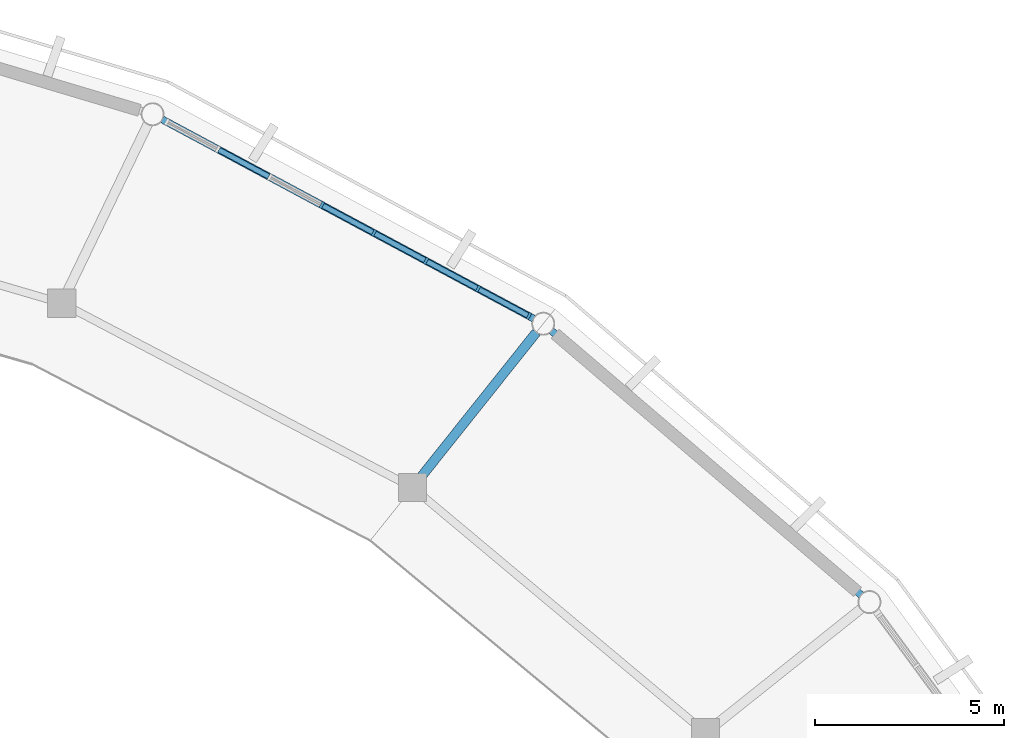
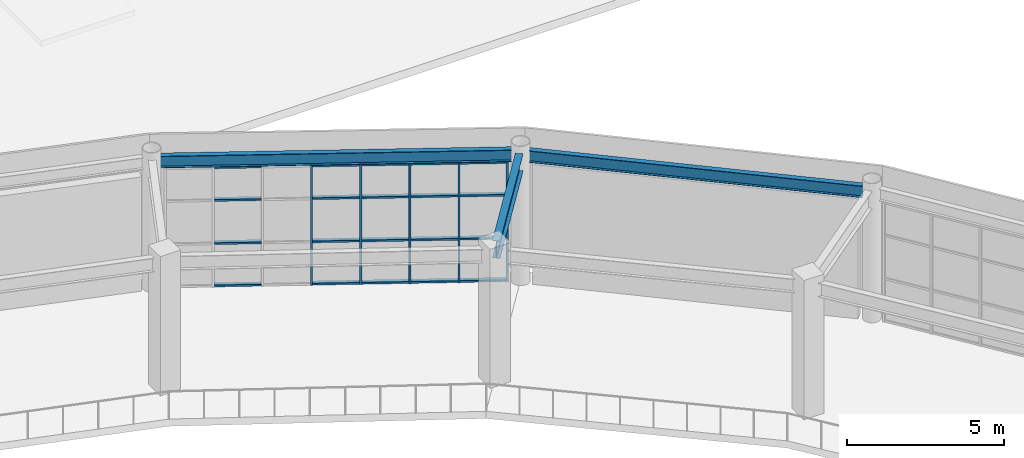
# One storey, part 32 of 70: 25 members, 3 beams, 1 element without a shape of its own.
"""IFC4 building model written with IfcOpenShell, lengths in metres."""

from ifc_helpers import new_model, si_unit, direction, frame, origin, origin_2d, place, context, subcontext, project, spatial, rectangle, i_section, extrude, material, material_profile, profile_set, type_object, element, aggregate, save


model = new_model("IFC4")

# Units and contexts
model_context = context("Model", 3, precision=1e-05, world=origin(), true_north=direction((0.0, 1.0)))
body_context = subcontext(model_context, "Body", "Model", "MODEL_VIEW")
ifc_project = project(units=[si_unit("LENGTHUNIT", "METRE"), si_unit("AREAUNIT", "SQUARE_METRE"), si_unit("VOLUMEUNIT", "CUBIC_METRE"), si_unit("PLANEANGLEUNIT", "RADIAN"), si_unit("MASSUNIT", "GRAM", prefix="KILO")], contexts=[model_context])

# Site, building, storey
site_placement = place(None, origin())
site = spatial("IfcSite", under=ifc_project, at=site_placement, CompositionType="ELEMENT")
building_placement = place(site_placement, origin())
building = spatial("IfcBuilding", under=site, at=building_placement, Name="Cuetzalor Civic Arena", CompositionType="ELEMENT")
storey_placement = place(building_placement, frame((0.0, 0.0, 21.0)))
storey = spatial("IfcBuildingStorey", under=building, at=storey_placement, Name="L04", CompositionType="ELEMENT", Elevation=21.0)

# Curtain wall, members
ifc_material_1 = material(Name="Anodised dark bronze aluminium and low-E solar glass", Category="aluminium")
curtain_wall_type = type_object("IfcCurtainWallType", Name="UnitisedCW_10950x4650", PredefinedType="USERDEFINED", material=ifc_material_1)
curtain_wall_placement = place(storey_placement, origin())
curtain_wall = element("IfcCurtainWall", 1, at=curtain_wall_placement, inside=storey, type_object=curtain_wall_type, Name="Drum Triangle Foyer Curtain Wall L04-058", ObjectType="UNITISED CURTAIN WALL", PredefinedType="USERDEFINED")
ifc_material_2 = material(Name="Anodised dark bronze aluminium", Category="aluminium")
ifc_material_profile_1 = material_profile(ifc_material_2, rectangle(XDim=0.070068359375, YDim=0.179931640625, at=origin_2d()), Name="ALU MULLION 70x180")
ifc_profile_set_1 = profile_set([ifc_material_profile_1], Name="Anodised dark bronze aluminium")
member_type_1 = type_object("IfcMemberType", Name="CurtainWallMullion_65x180", PredefinedType="MULLION", material=ifc_profile_set_1)
member_1_placement = place(storey_placement, frame((28.15087890625, 39.53662109375, 0.0), z_axis=(0.0, 0.0, 1.0), x_axis=(0.881306344124, -0.472545371163, 0.0)))
member_1 = element("IfcMember", 2, at=member_1_placement, type_object=member_type_1, Name="CW-07 mullion 4", PredefinedType="MULLION", context=body_context, shape_type="SweptSolid", body=[
    extrude(rectangle(XDim=0.070068359375, YDim=0.179931640625, at=origin_2d()), origin(), (0.0, 0.0, 1.0), 4.653076171875),
])
member_2_placement = place(storey_placement, frame((29.529052734375, 38.797607421875, 0.0), z_axis=(0.0, 0.0, 1.0), x_axis=(0.881306344124, -0.472545371163, 0.0)))
member_2 = element("IfcMember", 3, at=member_2_placement, type_object=member_type_1, Name="CW-07 mullion 5", PredefinedType="MULLION", context=body_context, shape_type="SweptSolid", body=[
    extrude(rectangle(XDim=0.070068359375, YDim=0.179931640625, at=origin_2d()), origin(), (0.0, 0.0, 1.0), 4.653076171875),
])
member_3_placement = place(storey_placement, frame((30.9072265625, 38.058837890625, 0.0), z_axis=(0.0, 0.0, 1.0), x_axis=(0.881306344124, -0.472545371163, 0.0)))
member_3 = element("IfcMember", 4, at=member_3_placement, type_object=member_type_1, Name="CW-07 mullion 6", PredefinedType="MULLION", context=body_context, shape_type="SweptSolid", body=[
    extrude(rectangle(XDim=0.070068359375, YDim=0.179931640625, at=origin_2d()), origin(), (0.0, 0.0, 1.0), 4.653076171875),
])
member_4_placement = place(storey_placement, frame((32.28515625, 37.31982421875, 0.0), z_axis=(0.0, 0.0, 1.0), x_axis=(0.881306344124, -0.472545371163, 0.0)))
member_4 = element("IfcMember", 5, at=member_4_placement, type_object=member_type_1, Name="CW-07 mullion 7", PredefinedType="MULLION", context=body_context, shape_type="SweptSolid", body=[
    extrude(rectangle(XDim=0.070068359375, YDim=0.179931640625, at=origin_2d()), origin(), (0.0, 0.0, 1.0), 4.653076171875),
])
member_5_placement = place(storey_placement, frame((33.632568359375, 36.597412109375, 0.0), z_axis=(0.0, 0.0, 1.0), x_axis=(0.881306344124, -0.472545371163, 0.0)))
member_5 = element("IfcMember", 6, at=member_5_placement, type_object=member_type_1, Name="CW-07 mullion 8", PredefinedType="MULLION", context=body_context, shape_type="SweptSolid", body=[
    extrude(rectangle(XDim=0.070068359375, YDim=0.179931640625, at=origin_2d()), origin(), (0.0, 0.0, 1.0), 4.653076171875),
])
ifc_material_3 = material(Name="Anodised dark bronze aluminium", Category="aluminium")
ifc_material_profile_2 = material_profile(ifc_material_3, rectangle(XDim=0.139892578125, YDim=0.070068359375, at=origin_2d()), Name="ALU TRANSOM 70x140")
ifc_profile_set_2 = profile_set([ifc_material_profile_2], Name="Anodised dark bronze aluminium")
member_type_2 = type_object("IfcMemberType", Name="CurtainWallTransom_65x140", PredefinedType="USERDEFINED", material=ifc_profile_set_2)
member_6_placement = place(storey_placement, frame((25.42529296875, 40.998046875, 0.034912109375), z_axis=(0.881351173238, -0.472461754465, 0.0), x_axis=(0.472461754465, 0.881351173238, 0.0)))
member_6 = element("IfcMember", 7, at=member_6_placement, type_object=member_type_2, Name="CW-07 transom 2.1", ObjectType="TRANSOM", PredefinedType="USERDEFINED", context=body_context, shape_type="SweptSolid", body=[
    extrude(rectangle(XDim=0.139892578125, YDim=0.070068359375, at=origin_2d()), origin(), (0.0, 0.0, 1.0), 1.493896484375),
])
member_7_placement = place(storey_placement, frame((25.42529296875, 40.998046875, 1.675048828125), z_axis=(0.881351173238, -0.472461754465, 0.0), x_axis=(0.472461754465, 0.881351173238, 0.0)))
member_7 = element("IfcMember", 8, at=member_7_placement, type_object=member_type_2, Name="CW-07 transom 2.2", ObjectType="TRANSOM", PredefinedType="USERDEFINED", context=body_context, shape_type="SweptSolid", body=[
    extrude(rectangle(XDim=0.139892578125, YDim=0.070068359375, at=origin_2d()), origin(), (0.0, 0.0, 1.0), 1.493896484375),
])
member_8_placement = place(storey_placement, frame((25.42529296875, 40.998046875, 3.35009765625), z_axis=(0.881351173238, -0.472461754465, 0.0), x_axis=(0.472461754465, 0.881351173238, 0.0)))
member_8 = element("IfcMember", 9, at=member_8_placement, type_object=member_type_2, Name="CW-07 transom 2.3", ObjectType="TRANSOM", PredefinedType="USERDEFINED", context=body_context, shape_type="SweptSolid", body=[
    extrude(rectangle(XDim=0.139892578125, YDim=0.070068359375, at=origin_2d()), origin(), (0.0, 0.0, 1.0), 1.493896484375),
])
member_9_placement = place(storey_placement, frame((25.42529296875, 40.998046875, 4.617919921875), z_axis=(0.881351173238, -0.472461754465, 0.0), x_axis=(0.472461754465, 0.881351173238, 0.0)))
member_9 = element("IfcMember", 10, at=member_9_placement, type_object=member_type_2, Name="CW-07 transom 2.4", ObjectType="TRANSOM", PredefinedType="USERDEFINED", context=body_context, shape_type="SweptSolid", body=[
    extrude(rectangle(XDim=0.139892578125, YDim=0.070068359375, at=origin_2d()), origin(), (0.0, 0.0, 1.0), 1.493896484375),
])
member_10_placement = place(storey_placement, frame((28.181640625, 39.52001953125, 0.034912109375), z_axis=(0.881314685602, -0.472529813812, 0.0), x_axis=(0.472529813812, 0.881314685602, 0.0)))
member_10 = element("IfcMember", 11, at=member_10_placement, type_object=member_type_2, Name="CW-07 transom 4.1", ObjectType="TRANSOM", PredefinedType="USERDEFINED", context=body_context, shape_type="SweptSolid", body=[
    extrude(rectangle(XDim=0.139892578125, YDim=0.070068359375, at=origin_2d()), origin(), (0.0, 0.0, 1.0), 1.49365234375),
])
member_11_placement = place(storey_placement, frame((28.181640625, 39.52001953125, 1.675048828125), z_axis=(0.881314685602, -0.472529813812, 0.0), x_axis=(0.472529813812, 0.881314685602, 0.0)))
member_11 = element("IfcMember", 12, at=member_11_placement, type_object=member_type_2, Name="CW-07 transom 4.2", ObjectType="TRANSOM", PredefinedType="USERDEFINED", context=body_context, shape_type="SweptSolid", body=[
    extrude(rectangle(XDim=0.139892578125, YDim=0.070068359375, at=origin_2d()), origin(), (0.0, 0.0, 1.0), 1.49365234375),
])
member_12_placement = place(storey_placement, frame((28.181640625, 39.52001953125, 3.35009765625), z_axis=(0.881314685602, -0.472529813812, 0.0), x_axis=(0.472529813812, 0.881314685602, 0.0)))
member_12 = element("IfcMember", 13, at=member_12_placement, type_object=member_type_2, Name="CW-07 transom 4.3", ObjectType="TRANSOM", PredefinedType="USERDEFINED", context=body_context, shape_type="SweptSolid", body=[
    extrude(rectangle(XDim=0.139892578125, YDim=0.070068359375, at=origin_2d()), origin(), (0.0, 0.0, 1.0), 1.49365234375),
])
member_13_placement = place(storey_placement, frame((28.181640625, 39.52001953125, 4.617919921875), z_axis=(0.881314685602, -0.472529813812, 0.0), x_axis=(0.472529813812, 0.881314685602, 0.0)))
member_13 = element("IfcMember", 14, at=member_13_placement, type_object=member_type_2, Name="CW-07 transom 4.4", ObjectType="TRANSOM", PredefinedType="USERDEFINED", context=body_context, shape_type="SweptSolid", body=[
    extrude(rectangle(XDim=0.139892578125, YDim=0.070068359375, at=origin_2d()), origin(), (0.0, 0.0, 1.0), 1.49365234375),
])
member_14_placement = place(storey_placement, frame((29.559814453125, 38.78125, 0.034912109375), z_axis=(0.881314685602, -0.472529813812, 0.0), x_axis=(0.472529813812, 0.881314685602, 0.0)))
member_14 = element("IfcMember", 15, at=member_14_placement, type_object=member_type_2, Name="CW-07 transom 5.1", ObjectType="TRANSOM", PredefinedType="USERDEFINED", context=body_context, shape_type="SweptSolid", body=[
    extrude(rectangle(XDim=0.139892578125, YDim=0.070068359375, at=origin_2d()), origin(), (0.0, 0.0, 1.0), 1.49365234375),
])
member_15_placement = place(storey_placement, frame((29.559814453125, 38.78125, 1.675048828125), z_axis=(0.881314685602, -0.472529813812, 0.0), x_axis=(0.472529813812, 0.881314685602, 0.0)))
member_15 = element("IfcMember", 16, at=member_15_placement, type_object=member_type_2, Name="CW-07 transom 5.2", ObjectType="TRANSOM", PredefinedType="USERDEFINED", context=body_context, shape_type="SweptSolid", body=[
    extrude(rectangle(XDim=0.139892578125, YDim=0.070068359375, at=origin_2d()), origin(), (0.0, 0.0, 1.0), 1.49365234375),
])
member_16_placement = place(storey_placement, frame((29.559814453125, 38.78125, 3.35009765625), z_axis=(0.881314685602, -0.472529813812, 0.0), x_axis=(0.472529813812, 0.881314685602, 0.0)))
member_16 = element("IfcMember", 17, at=member_16_placement, type_object=member_type_2, Name="CW-07 transom 5.3", ObjectType="TRANSOM", PredefinedType="USERDEFINED", context=body_context, shape_type="SweptSolid", body=[
    extrude(rectangle(XDim=0.139892578125, YDim=0.070068359375, at=origin_2d()), origin(), (0.0, 0.0, 1.0), 1.49365234375),
])
member_17_placement = place(storey_placement, frame((29.559814453125, 38.78125, 4.617919921875), z_axis=(0.881314685602, -0.472529813812, 0.0), x_axis=(0.472529813812, 0.881314685602, 0.0)))
member_17 = element("IfcMember", 18, at=member_17_placement, type_object=member_type_2, Name="CW-07 transom 5.4", ObjectType="TRANSOM", PredefinedType="USERDEFINED", context=body_context, shape_type="SweptSolid", body=[
    extrude(rectangle(XDim=0.139892578125, YDim=0.070068359375, at=origin_2d()), origin(), (0.0, 0.0, 1.0), 1.49365234375),
])
member_18_placement = place(storey_placement, frame((30.93798828125, 38.042236328125, 0.034912109375), z_axis=(0.881314685602, -0.472529813812, 0.0), x_axis=(0.472529813812, 0.881314685602, 0.0)))
member_18 = element("IfcMember", 19, at=member_18_placement, type_object=member_type_2, Name="CW-07 transom 6.1", ObjectType="TRANSOM", PredefinedType="USERDEFINED", context=body_context, shape_type="SweptSolid", body=[
    extrude(rectangle(XDim=0.139892578125, YDim=0.070068359375, at=origin_2d()), origin(), (0.0, 0.0, 1.0), 1.49365234375),
])
member_19_placement = place(storey_placement, frame((30.93798828125, 38.042236328125, 1.675048828125), z_axis=(0.881314685602, -0.472529813812, 0.0), x_axis=(0.472529813812, 0.881314685602, 0.0)))
member_19 = element("IfcMember", 20, at=member_19_placement, type_object=member_type_2, Name="CW-07 transom 6.2", ObjectType="TRANSOM", PredefinedType="USERDEFINED", context=body_context, shape_type="SweptSolid", body=[
    extrude(rectangle(XDim=0.139892578125, YDim=0.070068359375, at=origin_2d()), origin(), (0.0, 0.0, 1.0), 1.49365234375),
])
member_20_placement = place(storey_placement, frame((30.93798828125, 38.042236328125, 3.35009765625), z_axis=(0.881314685602, -0.472529813812, 0.0), x_axis=(0.472529813812, 0.881314685602, 0.0)))
member_20 = element("IfcMember", 21, at=member_20_placement, type_object=member_type_2, Name="CW-07 transom 6.3", ObjectType="TRANSOM", PredefinedType="USERDEFINED", context=body_context, shape_type="SweptSolid", body=[
    extrude(rectangle(XDim=0.139892578125, YDim=0.070068359375, at=origin_2d()), origin(), (0.0, 0.0, 1.0), 1.49365234375),
])
member_21_placement = place(storey_placement, frame((30.93798828125, 38.042236328125, 4.617919921875), z_axis=(0.881314685602, -0.472529813812, 0.0), x_axis=(0.472529813812, 0.881314685602, 0.0)))
member_21 = element("IfcMember", 22, at=member_21_placement, type_object=member_type_2, Name="CW-07 transom 6.4", ObjectType="TRANSOM", PredefinedType="USERDEFINED", context=body_context, shape_type="SweptSolid", body=[
    extrude(rectangle(XDim=0.139892578125, YDim=0.070068359375, at=origin_2d()), origin(), (0.0, 0.0, 1.0), 1.49365234375),
])
member_22_placement = place(storey_placement, frame((32.316162109375, 37.30322265625, 0.034912109375), z_axis=(0.881345577681, -0.472472192517, 0.0), x_axis=(0.472472192517, 0.881345577681, 0.0)))
member_22 = element("IfcMember", 23, at=member_22_placement, type_object=member_type_2, Name="CW-07 transom 7.1", ObjectType="TRANSOM", PredefinedType="USERDEFINED", context=body_context, shape_type="SweptSolid", body=[
    extrude(rectangle(XDim=0.139892578125, YDim=0.070068359375, at=origin_2d()), origin(), (0.0, 0.0, 1.0), 1.458740234375),
])
member_23_placement = place(storey_placement, frame((32.316162109375, 37.30322265625, 1.675048828125), z_axis=(0.881345577681, -0.472472192517, 0.0), x_axis=(0.472472192517, 0.881345577681, 0.0)))
member_23 = element("IfcMember", 24, at=member_23_placement, type_object=member_type_2, Name="CW-07 transom 7.2", ObjectType="TRANSOM", PredefinedType="USERDEFINED", context=body_context, shape_type="SweptSolid", body=[
    extrude(rectangle(XDim=0.139892578125, YDim=0.070068359375, at=origin_2d()), origin(), (0.0, 0.0, 1.0), 1.458740234375),
])
member_24_placement = place(storey_placement, frame((32.316162109375, 37.30322265625, 3.35009765625), z_axis=(0.881345577681, -0.472472192517, 0.0), x_axis=(0.472472192517, 0.881345577681, 0.0)))
member_24 = element("IfcMember", 25, at=member_24_placement, type_object=member_type_2, Name="CW-07 transom 7.3", ObjectType="TRANSOM", PredefinedType="USERDEFINED", context=body_context, shape_type="SweptSolid", body=[
    extrude(rectangle(XDim=0.139892578125, YDim=0.070068359375, at=origin_2d()), origin(), (0.0, 0.0, 1.0), 1.458740234375),
])
member_25_placement = place(storey_placement, frame((32.316162109375, 37.30322265625, 4.617919921875), z_axis=(0.881345577681, -0.472472192517, 0.0), x_axis=(0.472472192517, 0.881345577681, 0.0)))
member_25 = element("IfcMember", 26, at=member_25_placement, type_object=member_type_2, Name="CW-07 transom 7.4", ObjectType="TRANSOM", PredefinedType="USERDEFINED", context=body_context, shape_type="SweptSolid", body=[
    extrude(rectangle(XDim=0.139892578125, YDim=0.070068359375, at=origin_2d()), origin(), (0.0, 0.0, 1.0), 1.458740234375),
])
aggregate(curtain_wall, [member_1, member_2, member_3, member_4, member_5, member_6, member_7, member_8, member_9, member_10, member_11, member_12, member_13, member_14, member_15, member_16, member_17, member_18, member_19, member_20, member_21, member_22, member_23, member_24, member_25])

# Beams
ifc_material_4 = material(Name="Steel S355", Category="steel")
ifc_material_profile_3 = material_profile(ifc_material_4, i_section(OverallWidth=0.18994140625, OverallDepth=0.45703125, WebThickness=0.009033203125, FlangeThickness=0.014404296875, at=origin_2d()), Name="W460x74")
ifc_profile_set_3 = profile_set([ifc_material_profile_3], Name="Steel S355")
beam_type_1 = type_object("IfcBeamType", Name="FacadeSpandrelBeam_W460", PredefinedType="SPANDREL", material=ifc_profile_set_3)
beam_1_placement = place(storey_placement, frame((42.42822265625, 29.211669921875, 4.8916015625), z_axis=(-0.760676650628, 0.649130983076, 0.0), x_axis=(-0.649130983076, -0.760676650628, 0.0)))
element("IfcBeam", 27, at=beam_1_placement, inside=storey, type_object=beam_type_1, Name="Drum Perimeter Spandrel L04-S04", PredefinedType="SPANDREL", context=body_context, shape_type="SweptSolid", body=[
    extrude(i_section(OverallWidth=0.18994140625, OverallDepth=0.45703125, WebThickness=0.009033203125, FlangeThickness=0.014404296875, at=origin_2d()), origin(), (0.0, 0.0, 1.0), 10.77490234375),
])
beam_2_placement = place(storey_placement, frame((33.755859375, 36.53125, 4.8916015625), z_axis=(-0.881304552514, 0.472548712534, 0.0), x_axis=(-0.472548712534, -0.881304552514, 0.0)))
element("IfcBeam", 28, at=beam_2_placement, inside=storey, type_object=beam_type_1, Name="Drum Perimeter Spandrel L04-S05", PredefinedType="SPANDREL", context=body_context, shape_type="SweptSolid", body=[
    extrude(i_section(OverallWidth=0.18994140625, OverallDepth=0.45703125, WebThickness=0.009033203125, FlangeThickness=0.014404296875, at=origin_2d()), origin(), (0.0, 0.0, 1.0), 11.156005859375),
])
ifc_material_5 = material(Name="Steel S355", Category="steel")
ifc_material_profile_4 = material_profile(ifc_material_5, i_section(OverallWidth=0.2529296875, OverallDepth=0.677978515625, WebThickness=0.01171875, FlangeThickness=0.016357421875, at=origin_2d()), Name="W690x125")
ifc_profile_set_4 = profile_set([ifc_material_profile_4], Name="Steel S355")
beam_type_2 = type_object("IfcBeamType", Name="SteelPrimaryGirder_W690", PredefinedType="BEAM", material=ifc_profile_set_4)
beam_3_placement = place(storey_placement, frame((30.775390625, 32.336669921875, 4.781005859375), z_axis=(0.623515538789, 0.781810957258, 0.0), x_axis=(-0.781810957258, 0.623515538789, 0.0)))
element("IfcBeam", 29, at=beam_3_placement, inside=storey, type_object=beam_type_2, Name="Drum Radial Girder L04-R05", PredefinedType="BEAM", context=body_context, shape_type="SweptSolid", body=[
    extrude(i_section(OverallWidth=0.2529296875, OverallDepth=0.677978515625, WebThickness=0.01171875, FlangeThickness=0.016357421875, at=origin_2d()), origin(), (0.0, 0.0, 1.0), 4.89990234375),
])

save(model, "model.ifc")
